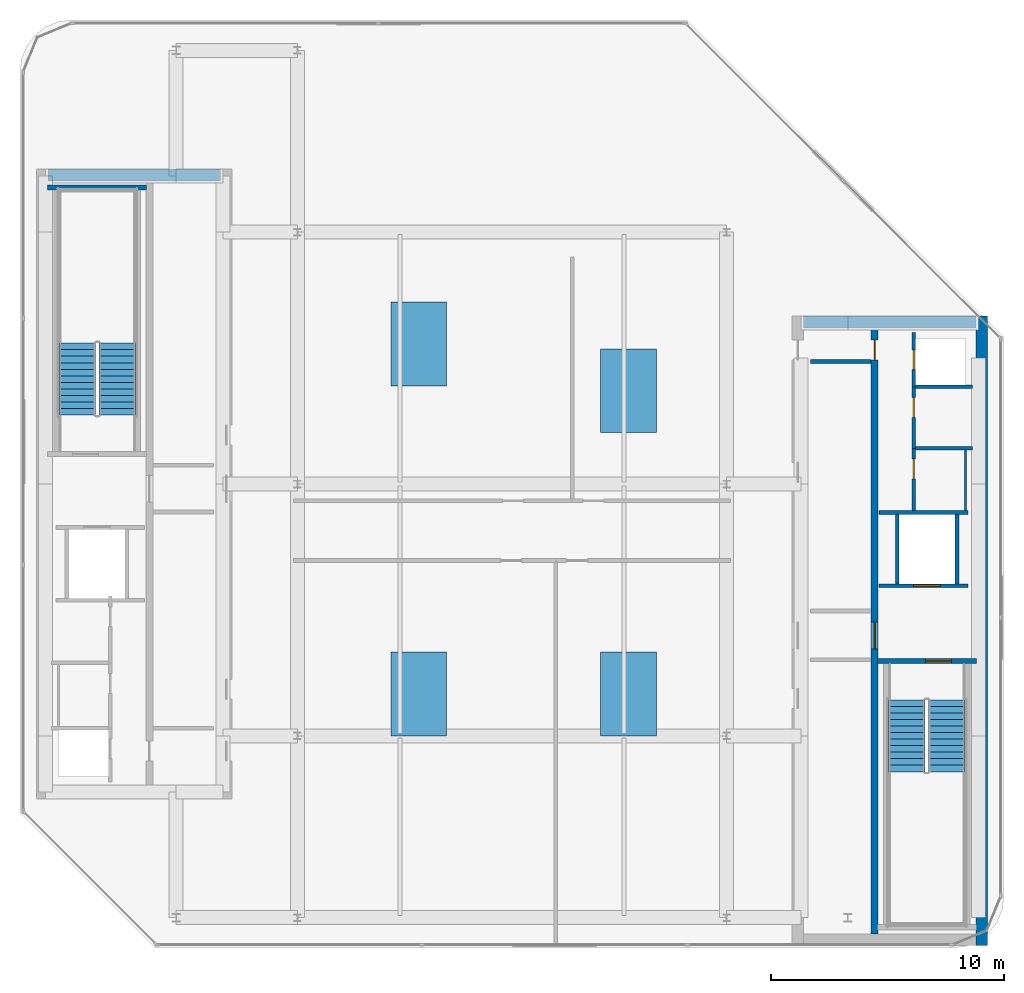
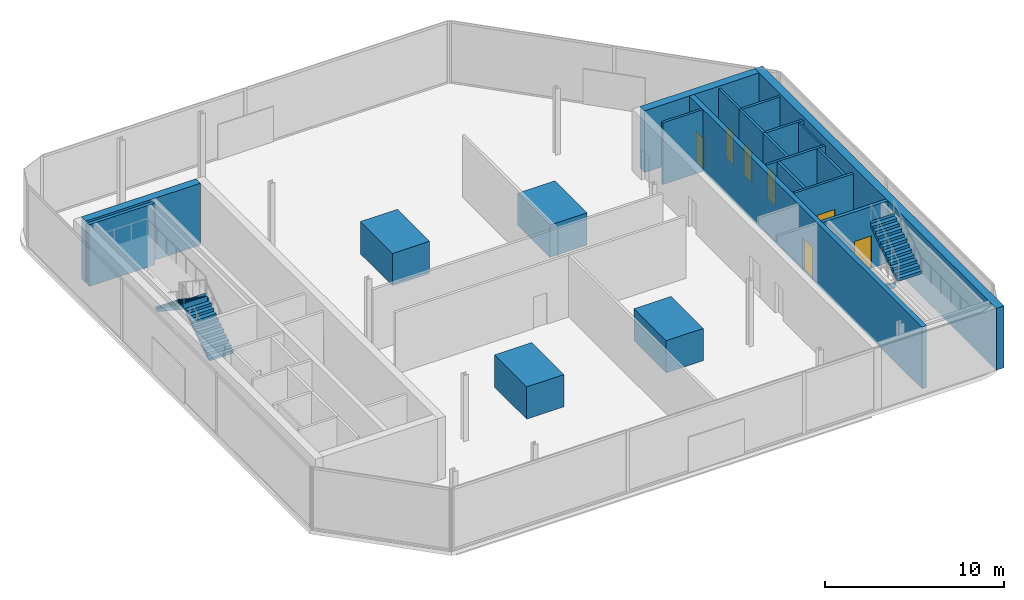
# One storey, part 6 of 15: 17 walls, 7 doors, 4 discrete accessories, 4 stair flights, 7 openings, 2 elements without a shape of their own.
"""IFC4 building model written with IfcOpenShell, lengths in metres."""

import ifcopenshell
import ifcopenshell.guid

model = None  # the IFC model being written
_history = None  # IfcOwnerHistory: only IFC2X3 demands one
_inside = {}  # id of a spatial element -> (the spatial element, [elements in it])
_under = {}  # id of a project, library or spatial element -> (it, [spatial elements below it])
_declared = {}  # id of a project -> (the project, [libraries it declares])
_typed = {}  # id of a type object -> (the type object, [elements of that type])
_made_of = {}  # id of a material, layer set ... -> (it, [elements and type objects made of it])


def new_model(schema):
    """Start an empty IFC model of exactly this schema.

    Asked for "IFC4X3", IfcOpenShell would pick the latest addendum, in which some entities
    have other attributes; the version numbers below select the first issue.
    IFC2X3 requires an IfcOwnerHistory on every rooted entity: one is made here for all.
    """
    global model, _history
    if schema == "IFC4X3":
        model = ifcopenshell.file(schema_version=(4, 3, 0, 0))
    else:
        model = ifcopenshell.file(schema=schema)
    _inside.clear()
    _under.clear()
    _declared.clear()
    _typed.clear()
    _made_of.clear()
    _history = None
    if model.schema == "IFC2X3":
        org = make("IfcOrganization", Name="unknown")
        user = make(
            "IfcPersonAndOrganization",
            ThePerson=make("IfcPerson", FamilyName="unknown"),
            TheOrganization=org,
        )
        app = make(
            "IfcApplication",
            ApplicationDeveloper=org,
            Version="unknown",
            ApplicationFullName="unknown",
            ApplicationIdentifier="unknown",
        )
        _history = make(
            "IfcOwnerHistory",
            OwningUser=user,
            OwningApplication=app,
            ChangeAction="ADDED",
            CreationDate=0,
        )
    return model


def make(cls, **values):
    """One entity of the class cls with the attributes given. An attribute that is None is left unset."""
    return model.create_entity(
        cls, **{name: value for name, value in values.items() if value is not None}
    )


def rooted(cls, **values):
    """An entity with a GlobalId (a new one), such as an element, a storey or a relation."""
    return make(cls, GlobalId=ifcopenshell.guid.new(), OwnerHistory=_history, **values)


def si_unit(unit_type, name, prefix=None):
    """IfcSIUnit, for example si_unit("LENGTHUNIT", "METRE", prefix="MILLI")."""
    return make("IfcSIUnit", UnitType=unit_type, Prefix=prefix, Name=name)


def assignment(units):
    """IfcUnitAssignment: the units of a project."""
    return None if units is None else make("IfcUnitAssignment", Units=units)


def point(xyz):
    """IfcCartesianPoint."""
    return None if xyz is None else make("IfcCartesianPoint", Coordinates=xyz)


def direction(xyz):
    """IfcDirection."""
    return None if xyz is None else make("IfcDirection", DirectionRatios=xyz)


def frame(location, z_axis=None, x_axis=None):
    """IfcAxis2Placement3D, a coordinate frame: its origin and axes. An axis left out is left unset."""
    return make(
        "IfcAxis2Placement3D",
        Location=point(location),
        Axis=direction(z_axis),
        RefDirection=direction(x_axis),
    )


def frame_2d(location, x_axis=None):
    """IfcAxis2Placement2D, a coordinate frame in the plane: its origin and x axis."""
    return make(
        "IfcAxis2Placement2D", Location=point(location), RefDirection=direction(x_axis)
    )


def origin():
    """The frame at (0, 0, 0) with its axes left unset."""
    return frame((0.0, 0.0, 0.0))


def origin_2d():
    """The frame at (0, 0) in the plane with its x axis left unset."""
    return frame_2d((0.0, 0.0))


def place(relative_to, where):
    """IfcLocalPlacement: puts the frame where relative to a parent placement (None: the world)."""
    return make(
        "IfcLocalPlacement", PlacementRelTo=relative_to, RelativePlacement=where
    )


def context(
    kind, dimensions, precision=None, world=None, true_north=None, identifier=None
):
    """IfcGeometricRepresentationContext, for example the 3D "Model" context."""
    return make(
        "IfcGeometricRepresentationContext",
        ContextIdentifier=identifier,
        ContextType=kind,
        CoordinateSpaceDimension=dimensions,
        Precision=precision,
        WorldCoordinateSystem=world,
        TrueNorth=true_north,
    )


def subcontext(parent, identifier, kind, view, scale=None):
    """IfcGeometricRepresentationSubContext, for example "Body" below "Model"."""
    return make(
        "IfcGeometricRepresentationSubContext",
        ContextIdentifier=identifier,
        ContextType=kind,
        ParentContext=parent,
        TargetScale=scale,
        TargetView=view,
    )


def project(units=None, contexts=None):
    """IfcProject with its units and contexts."""
    return rooted(
        "IfcProject",
        Name="project",
        RepresentationContexts=contexts,
        UnitsInContext=assignment(units),
    )


def spatial(cls, under=None, at=None, **own):
    """A site, building, storey or space (cls), placed at a placement, below another one or the project."""
    s = rooted(cls, ObjectPlacement=at, **own)
    if under is not None:
        _under.setdefault(under.id(), (under, []))[1].append(s)
    return s


def polyline(points):
    """IfcPolyline through the points."""
    return make("IfcPolyline", Points=[point(p) for p in points])


def profile(cls, at=None, kind="AREA", **sizes):
    """A parametric profile (cls). Its sizes go by their IFC names, for example OverallWidth=200.0."""
    return make(cls, ProfileType=kind, Position=at, **sizes)


def rectangle(**sizes):
    """IfcRectangleProfileDef."""
    return profile("IfcRectangleProfileDef", **sizes)


def outline(outer, holes=None, kind="AREA"):
    """IfcArbitraryClosedProfileDef: a profile drawn as a closed curve; with holes, ...WithVoids."""
    if holes is None:
        return make("IfcArbitraryClosedProfileDef", ProfileType=kind, OuterCurve=outer)
    return make(
        "IfcArbitraryProfileDefWithVoids",
        ProfileType=kind,
        OuterCurve=outer,
        InnerCurves=holes,
    )


def extrude(swept, where, along, depth):
    """IfcExtrudedAreaSolid: the profile swept, set in the frame where, extruded along a direction by depth."""
    return make(
        "IfcExtrudedAreaSolid",
        SweptArea=swept,
        Position=where,
        ExtrudedDirection=direction(along),
        Depth=depth,
    )


def shape(context_of_items, identifier, shape_type, items):
    """IfcShapeRepresentation: the items that make up one representation, for example the "Body"."""
    return make(
        "IfcShapeRepresentation",
        ContextOfItems=context_of_items,
        RepresentationIdentifier=identifier,
        RepresentationType=shape_type,
        Items=items,
    )


def material(Name=None, Category=None):
    """IfcMaterial."""
    return make("IfcMaterial", Name=Name, Category=Category)


def layer(
    of_material, thickness, ventilated=None, Name=None, Category=None, Priority=None
):
    """IfcMaterialLayer: one layer of a wall or slab, of a material (None: an air gap)."""
    return make(
        "IfcMaterialLayer",
        Material=of_material,
        LayerThickness=thickness,
        IsVentilated=ventilated,
        Name=Name,
        Category=Category,
        Priority=Priority,
    )


def layer_set(layers, Name=None):
    """IfcMaterialLayerSet."""
    return make("IfcMaterialLayerSet", MaterialLayers=layers, LayerSetName=Name)


def made_of(thing, what):
    """Note that an element or type object is made of a material, layer set ...; save() writes the relation."""
    if what is not None:
        _made_of.setdefault(what.id(), (what, []))[1].append(thing)
    return thing


def type_object(cls, material=None, **own):
    """A type object (cls), such as IfcWallType, which elements share."""
    return made_of(rooted(cls, **own), material)


def element(
    cls,
    number,
    at=None,
    inside=None,
    cuts=None,
    type_object=None,
    material=None,
    context=None,
    identifier="Body",
    shape_type=None,
    held_by="IfcProductDefinitionShape",
    body=None,
    shapes=None,
    **own,
):
    """One element of the class cls, such as IfcWall. Its Tag is "e" and its number.

    at: its placement. inside: the storey or other place that contains it. cuts: it is an
    opening in that element (IfcRelVoidsElement). A single representation is given by context,
    identifier, shape_type and body (its items); several are given by shapes. held_by: the class
    of the entity that holds the representations. save() writes the other relations.
    """
    e = rooted(cls, Tag="e%d" % number, ObjectPlacement=at, **own)
    if body is not None:
        shapes = [shape(context, identifier, shape_type, body)]
    if shapes is not None:
        e.Representation = make(held_by, Representations=shapes)
    if inside is not None:
        _inside.setdefault(inside.id(), (inside, []))[1].append(e)
    if cuts is not None:
        rooted(
            "IfcRelVoidsElement", RelatingBuildingElement=cuts, RelatedOpeningElement=e
        )
    if type_object is not None:
        _typed.setdefault(type_object.id(), (type_object, []))[1].append(e)
    return made_of(e, material)


def fill(opening, filler):
    """IfcRelFillsElement: the door or window that sits in an opening."""
    return rooted(
        "IfcRelFillsElement",
        RelatingOpeningElement=opening,
        RelatedBuildingElement=filler,
    )


def aggregate(whole, parts):
    """IfcRelAggregates: a whole, such as a stair, and the parts it consists of."""
    return rooted("IfcRelAggregates", RelatingObject=whole, RelatedObjects=parts)


def save(model, path):
    """Write the relations noted so far, then the file.

    IfcRelAggregates (storeys below a building ...), IfcRelContainedInSpatialStructure (elements
    in a storey), IfcRelDefinesByType, IfcRelAssociatesMaterial and IfcRelDeclares: one each for
    every whole, place, type object, material and project.
    """
    for whole, parts in _under.values():
        aggregate(whole, parts)
    for where, things in _inside.values():
        rooted(
            "IfcRelContainedInSpatialStructure",
            RelatedElements=things,
            RelatingStructure=where,
        )
    for kind, things in _typed.values():
        rooted("IfcRelDefinesByType", RelatedObjects=things, RelatingType=kind)
    for what, things in _made_of.values():
        rooted("IfcRelAssociatesMaterial", RelatedObjects=things, RelatingMaterial=what)
    for by, libraries in _declared.values():
        rooted("IfcRelDeclares", RelatingContext=by, RelatedDefinitions=libraries)
    model.write(path)


model = new_model("IFC4")

# Units and contexts
model_context = context("Model", 3, precision=1e-05, world=origin(), true_north=direction((0.0, 1.0)))
body_context = subcontext(model_context, "Body", "Model", "MODEL_VIEW")
ifc_project = project(units=[si_unit("LENGTHUNIT", "METRE"), si_unit("AREAUNIT", "SQUARE_METRE"), si_unit("VOLUMEUNIT", "CUBIC_METRE"), si_unit("PLANEANGLEUNIT", "RADIAN"), si_unit("MASSUNIT", "GRAM", prefix="KILO")], contexts=[model_context])

# Site, building, storey
site_placement = place(None, origin())
site = spatial("IfcSite", under=ifc_project, at=site_placement, CompositionType="ELEMENT")
building_placement = place(site_placement, origin())
building = spatial("IfcBuilding", under=site, at=building_placement, Name="Khairoan Windgate Tower", CompositionType="ELEMENT")
storey_placement = place(building_placement, frame((0.0, 0.0, 335.0)))
storey = spatial("IfcBuildingStorey", under=building, at=storey_placement, Name="L80", CompositionType="ELEMENT", Elevation=335.0)

# Wall
ifc_material_1 = material(Name="Moisture-Resistant Gypsum Partition", Category="gypsum")
ifc_layer_1 = layer(ifc_material_1, 0.10009765625, Name="Moisture-Resistant Gypsum Partition")
ifc_layer_set_1 = layer_set([ifc_layer_1], Name="Moisture-Resistant Gypsum Partition")
wall_type_1 = type_object("IfcWallType", Name="Bathroom Wet-Area Partition Wall", PredefinedType="PARTITIONING", material=ifc_layer_set_1)
wall_1_placement = place(storey_placement, frame((19.449951171875, 1.449951171875, 0.0), z_axis=(0.0, 0.0, 1.0), x_axis=(0.0, -1.0, 0.0)))
element("IfcWall", 1, at=wall_1_placement, inside=storey, type_object=wall_type_1, Name="L80 Wet Room Side Wall 018", PredefinedType="PARTITIONING", context=body_context, shape_type="SweptSolid", body=[
    extrude(rectangle(XDim=2.58984375, YDim=0.10009765625, at=frame_2d((1.294921875, 0.0))), origin(), (0.0, 0.0, 1.0), 4.219970703125),
])

# Wall, opening, door
ifc_material_2 = material(Name="Concrete C40/50", Category="concrete")
ifc_layer_2 = layer(ifc_material_2, 0.159912109375, Name="Concrete C40/50")
ifc_layer_set_2 = layer_set([ifc_layer_2], Name="Concrete C40/50")
wall_type_2 = type_object("IfcWallType", Name="Core and Hoistway Enclosure Wall", PredefinedType="STANDARD", material=ifc_layer_set_2)
wall_2_placement = place(storey_placement, frame((15.75, -4.360107421875, 0.0), z_axis=(0.0, 0.0, 1.0), x_axis=(1.0, 0.0, 0.0)))
wall_2 = element("IfcWall", 2, at=wall_2_placement, inside=storey, type_object=wall_type_2, Name="L80 Core Shaft Wall SW-FL1-L80", PredefinedType="STANDARD", context=body_context, shape_type="SweptSolid", body=[
    extrude(rectangle(XDim=3.800048828125, YDim=0.159912109375, at=frame_2d((1.89990234375, 0.0))), origin(), (0.0, 0.0, 1.0), 4.219970703125),
])
opening_1_placement = place(wall_2_placement, frame((1.469970703125, 0.0, 0.0)))
opening_1 = element("IfcOpeningElement", 3, at=opening_1_placement, cuts=wall_2, Name="Opening LD-FL", PredefinedType="OPENING", context=body_context, shape_type="SweptSolid", body=[
    extrude(rectangle(XDim=1.14990234375, YDim=2.199951171875, at=frame_2d((0.574951171875, 1.10009765625))), frame((0.0, 0.08984375, 0.0), z_axis=(0.0, -1.0, 0.0), x_axis=(1.0, 0.0, 0.0)), (0.0, 0.0, 1.0), 0.179931640625),
])
ifc_material_3 = material(Name="Steel S355", Category="steel")
door_type_1 = type_object("IfcDoorType", Name="Firefighting Lift Sliding Landing Door LD-FL 1150x2200", OperationType="DOUBLE_DOOR_SLIDING", PredefinedType="DOOR", material=ifc_material_3)
door_1_placement = place(opening_1_placement, origin())
door_1 = element("IfcDoor", 4, at=door_1_placement, inside=storey, type_object=door_type_1, Name="L80 Firefighting Lift FL1 Landing Door", OperationType="DOUBLE_DOOR_SLIDING", OverallHeight=2.199951171875, OverallWidth=1.14990234375, PredefinedType="DOOR", context=body_context, shape_type="SweptSolid", body=[
    extrude(rectangle(XDim=1.14990234375, YDim=2.199951171875, at=frame_2d((0.574951171875, 1.10009765625))), frame((0.0, 0.02490234375, 0.0), z_axis=(0.0, -1.0, 0.0), x_axis=(1.0, 0.0, 0.0)), (0.0, 0.0, 1.0), 0.050048828125),
])
fill(opening_1, door_1)

# Walls
wall_3_placement = place(storey_placement, frame((15.75, -1.219970703125, 0.0), z_axis=(0.0, 0.0, 1.0), x_axis=(1.0, 0.0, 0.0)))
element("IfcWall", 5, at=wall_3_placement, inside=storey, type_object=wall_type_2, Name="L80 Core Shaft Wall SW-FL1T-L80", PredefinedType="STANDARD", context=body_context, shape_type="SweptSolid", body=[
    extrude(rectangle(XDim=3.800048828125, YDim=0.159912109375, at=frame_2d((1.89990234375, 0.0))), origin(), (0.0, 0.0, 1.0), 4.219970703125),
])
for number, where, z_axis, x_axis, name in (
    (6, (16.52001953125, -4.280029296875, 0.0), (0.0, 0.0, 1.0), (0.0, 1.0, 0.0), "L80 Core Shaft Wall SW-FL1W-L80"),
    (7, (19.080078125, -4.280029296875, 0.0), (0.0, 0.0, 1.0), (0.0, 1.0, 0.0), "L80 Core Shaft Wall SW-FL1E-L80"),
):
    element("IfcWall", number, at=place(storey_placement, frame(where, z_axis=z_axis, x_axis=x_axis)), inside=storey, type_object=wall_type_2, Name=name, PredefinedType="STANDARD", context=body_context, shape_type="SweptSolid", body=[
        extrude(rectangle(XDim=2.97998046875, YDim=0.159912109375, at=frame_2d((1.489990234375, 0.0))), origin(), (0.0, 0.0, 1.0), 4.219970703125),
    ])
wall_4_placement = place(storey_placement, frame((12.800048828125, 5.25, 0.0), z_axis=(0.0, 0.0, 1.0), x_axis=(1.0, 0.0, 0.0)))
element("IfcWall", 8, at=wall_4_placement, inside=storey, type_object=wall_type_2, Name="L80 Core Shaft Wall SW-ESV-L80", PredefinedType="STANDARD", context=body_context, shape_type="SweptSolid", body=[
    extrude(rectangle(XDim=2.599853515625, YDim=0.159912109375, at=frame_2d((1.2998046875, 0.0))), origin(), (0.0, 0.0, 1.0), 4.219970703125),
])

# Wall, opening, door
ifc_material_4 = material(Name="Concrete C40/50", Category="concrete")
ifc_layer_3 = layer(ifc_material_4, 0.159912109375, Name="Concrete C40/50")
ifc_layer_set_3 = layer_set([ifc_layer_3], Name="Concrete C40/50")
wall_type_3 = type_object("IfcWallType", Name="Plant and Refuge Compartment Wall", PredefinedType="PARTITIONING", material=ifc_layer_set_3)
wall_5_placement = place(storey_placement, frame((17.22998046875, 4.169921875, 0.0), z_axis=(0.0, 0.0, 1.0), x_axis=(0.0, 1.0, 0.0)))
wall_5 = element("IfcWall", 9, at=wall_5_placement, inside=storey, type_object=wall_type_3, Name="L80 Interior Partition 006", PredefinedType="PARTITIONING", context=body_context, shape_type="SweptSolid", body=[
    extrude(rectangle(XDim=2.320068359375, YDim=0.159912109375, at=frame_2d((1.16015625, 0.0))), origin(), (0.0, 0.0, 1.0), 4.219970703125),
])
opening_2_placement = place(wall_5_placement, frame((0.735107421875, 0.0, 0.0)))
opening_2 = element("IfcOpeningElement", 10, at=opening_2_placement, cuts=wall_5, Name="Opening FD-SRV", PredefinedType="OPENING", context=body_context, shape_type="SweptSolid", body=[
    extrude(rectangle(XDim=0.85009765625, YDim=2.10009765625, at=frame_2d((0.425048828125, 1.050048828125))), frame((0.0, 0.08984375, 0.0), z_axis=(0.0, -1.0, 0.0), x_axis=(1.0, 0.0, 0.0)), (0.0, 0.0, 1.0), 0.179931640625),
])
ifc_material_5 = material(Name="Steel S355", Category="steel")
door_type_2 = type_object("IfcDoorType", Name="Core Service and Riser Fire Door FD-SRV 850x2100", OperationType="NOTDEFINED", PredefinedType="DOOR", material=ifc_material_5)
door_2_placement = place(opening_2_placement, origin())
door_2 = element("IfcDoor", 11, at=door_2_placement, inside=storey, type_object=door_type_2, Name="L80 L80-15-L80-16 Door", OperationType="SINGLE_SWING_RIGHT", OverallHeight=2.10009765625, OverallWidth=0.85009765625, PredefinedType="DOOR", context=body_context, shape_type="SweptSolid", body=[
    extrude(rectangle(XDim=0.85009765625, YDim=2.10009765625, at=frame_2d((0.425048828125, 1.050048828125))), frame((0.0, 0.02490234375, 0.0), z_axis=(0.0, -1.0, 0.0), x_axis=(1.0, 0.0, 0.0)), (0.0, 0.0, 1.0), 0.050048828125),
])
fill(opening_2, door_2)

wall_6_placement = place(storey_placement, frame((17.22998046875, -1.139892578125, 0.0), z_axis=(0.0, 0.0, 1.0), x_axis=(0.0, 1.0, 0.0)))
wall_6 = element("IfcWall", 12, at=wall_6_placement, inside=storey, type_object=wall_type_3, Name="L80 Interior Partition 007", PredefinedType="PARTITIONING", context=body_context, shape_type="SweptSolid", body=[
    extrude(rectangle(XDim=2.669921875, YDim=0.159912109375, at=frame_2d((1.3349609375, 0.0))), origin(), (0.0, 0.0, 1.0), 4.219970703125),
])
opening_3_placement = place(wall_6_placement, frame((1.360107421875, 0.0, 0.0)))
opening_3 = element("IfcOpeningElement", 13, at=opening_3_placement, cuts=wall_6, Name="Opening FD-SRV", PredefinedType="OPENING", context=body_context, shape_type="SweptSolid", body=[
    extrude(rectangle(XDim=0.85009765625, YDim=2.10009765625, at=frame_2d((0.425048828125, 1.050048828125))), frame((0.0, 0.08984375, 0.0), z_axis=(0.0, -1.0, 0.0), x_axis=(1.0, 0.0, 0.0)), (0.0, 0.0, 1.0), 0.179931640625),
])
door_3_placement = place(opening_3_placement, origin())
door_3 = element("IfcDoor", 14, at=door_3_placement, inside=storey, type_object=door_type_2, Name="L80 L80-15-L80-17 Door", OperationType="SINGLE_SWING_LEFT", OverallHeight=2.10009765625, OverallWidth=0.85009765625, PredefinedType="DOOR", context=body_context, shape_type="SweptSolid", body=[
    extrude(rectangle(XDim=0.85009765625, YDim=2.10009765625, at=frame_2d((0.425048828125, 1.050048828125))), frame((0.0, 0.02490234375, 0.0), z_axis=(0.0, -1.0, 0.0), x_axis=(1.0, 0.0, 0.0)), (0.0, 0.0, 1.0), 0.050048828125),
])
fill(opening_3, door_3)

wall_7_placement = place(storey_placement, frame((17.22998046875, 1.530029296875, 0.0), z_axis=(0.0, 0.0, 1.0), x_axis=(0.0, 1.0, 0.0)))
wall_7 = element("IfcWall", 15, at=wall_7_placement, inside=storey, type_object=wall_type_3, Name="L80 Interior Partition 008", PredefinedType="PARTITIONING", context=body_context, shape_type="SweptSolid", body=[
    extrude(rectangle(XDim=2.639892578125, YDim=0.159912109375, at=frame_2d((1.31982421875, 0.0))), origin(), (0.0, 0.0, 1.0), 4.219970703125),
])
opening_4_placement = place(wall_7_placement, frame((1.330078125, 0.0, 0.0)))
opening_4 = element("IfcOpeningElement", 16, at=opening_4_placement, cuts=wall_7, Name="Opening FD-SRV", PredefinedType="OPENING", context=body_context, shape_type="SweptSolid", body=[
    extrude(rectangle(XDim=0.85009765625, YDim=2.10009765625, at=frame_2d((0.425048828125, 1.050048828125))), frame((0.0, 0.08984375, 0.0), z_axis=(0.0, -1.0, 0.0), x_axis=(1.0, 0.0, 0.0)), (0.0, 0.0, 1.0), 0.179931640625),
])
door_4_placement = place(opening_4_placement, origin())
door_4 = element("IfcDoor", 17, at=door_4_placement, inside=storey, type_object=door_type_2, Name="L80 L80-15-L80-18 Door", OperationType="SINGLE_SWING_RIGHT", OverallHeight=2.10009765625, OverallWidth=0.85009765625, PredefinedType="DOOR", context=body_context, shape_type="SweptSolid", body=[
    extrude(rectangle(XDim=0.85009765625, YDim=2.10009765625, at=frame_2d((0.425048828125, 1.050048828125))), frame((0.0, 0.02490234375, 0.0), z_axis=(0.0, -1.0, 0.0), x_axis=(1.0, 0.0, 0.0)), (0.0, 0.0, 1.0), 0.050048828125),
])
fill(opening_4, door_4)

# Walls
for number, where, z_axis, x_axis, name in (
    (18, (17.31005859375, 4.169921875, 0.0), (0.0, 0.0, 1.0), (1.0, 0.0, 0.0), "L80 Interior Partition 009"),
    (19, (17.31005859375, 1.530029296875, 0.0), (0.0, 0.0, 1.0), (1.0, 0.0, 0.0), "L80 Interior Partition 010"),
):
    element("IfcWall", number, at=place(storey_placement, frame(where, z_axis=z_axis, x_axis=x_axis)), inside=storey, type_object=wall_type_3, Name=name, PredefinedType="PARTITIONING", context=body_context, shape_type="SweptSolid", body=[
        extrude(rectangle(XDim=2.43994140625, YDim=0.159912109375, at=frame_2d((1.219970703125, 0.0))), origin(), (0.0, 0.0, 1.0), 4.219970703125),
    ])
ifc_material_6 = material(Name="Concrete C50/60", Category="concrete")
ifc_layer_4 = layer(ifc_material_6, 0.5, Name="Concrete C50/60")
ifc_layer_set_4 = layer_set([ifc_layer_4], Name="Concrete C50/60")
wall_type_4 = type_object("IfcWallType", Name="Shear Wall CW-E3 500mm", PredefinedType="SHEAR", material=ifc_layer_set_4)
wall_8_placement = place(storey_placement, frame((20.14990234375, -19.800048828125, 0.0), z_axis=(0.0, 0.0, 1.0), x_axis=(0.0, 1.0, 0.0)))
element("IfcWall", 20, at=wall_8_placement, inside=storey, type_object=wall_type_4, Name="E Core East Shear Wall L80", PredefinedType="SHEAR", context=body_context, shape_type="SweptSolid", body=[
    extrude(rectangle(XDim=27.0, YDim=0.5, at=frame_2d((13.5, 0.0))), origin(), (0.0, 0.0, 1.0), 4.219970703125),
])
wall_9_placement = place(storey_placement, frame((12.5, 6.949951171875, 0.0), z_axis=(0.0, 0.0, 1.0), x_axis=(1.0, 0.0, 0.0)))
element("IfcWall", 21, at=wall_9_placement, inside=storey, type_object=wall_type_4, Name="E Core North Shear Wall L80", PredefinedType="SHEAR", context=body_context, shape_type="SweptSolid", body=[
    extrude(rectangle(XDim=7.39990234375, YDim=0.5, at=frame_2d((3.699951171875, 0.0))), origin(), (0.0, 0.0, 1.0), 4.219970703125),
])
ifc_material_7 = material(Name="Concrete C50/60", Category="concrete")
ifc_layer_5 = layer(ifc_material_7, 0.5, Name="Concrete C50/60")
ifc_layer_set_5 = layer_set([ifc_layer_5], Name="Concrete C50/60")
wall_type_5 = type_object("IfcWallType", Name="Shear Wall CW-W3 500mm", PredefinedType="SHEAR", material=ifc_layer_set_5)
wall_10_placement = place(storey_placement, frame((-19.89990234375, 13.25, 0.0), z_axis=(0.0, 0.0, 1.0), x_axis=(1.0, 0.0, 0.0)))
element("IfcWall", 22, at=wall_10_placement, inside=storey, type_object=wall_type_5, Name="W Core North Shear Wall L80", PredefinedType="SHEAR", context=body_context, shape_type="SweptSolid", body=[
    extrude(rectangle(XDim=7.39990234375, YDim=0.5, at=frame_2d((3.699951171875, 0.0))), origin(), (0.0, 0.0, 1.0), 4.219970703125),
])

# Wall, openings, doors
ifc_material_8 = material(Name="Concrete C50/60", Category="concrete")
ifc_layer_6 = layer(ifc_material_8, 0.300048828125, Name="Concrete C50/60")
ifc_layer_set_6 = layer_set([ifc_layer_6], Name="Concrete C50/60")
wall_type_6 = type_object("IfcWallType", Name="Shear Wall SW-2 300mm", PredefinedType="SHEAR", material=ifc_layer_set_6)
wall_11_placement = place(storey_placement, frame((15.550048828125, -19.300048828125, 0.0), z_axis=(0.0, 0.0, 1.0), x_axis=(0.0, 1.0, 0.0)))
wall_11 = element("IfcWall", 23, at=wall_11_placement, inside=storey, type_object=wall_type_6, Name="E Core Spine Shear Wall L80", PredefinedType="SHEAR", context=body_context, shape_type="SweptSolid", body=[
    extrude(rectangle(XDim=26.0, YDim=0.300048828125, at=frame_2d((13.0, 0.0))), origin(), (0.0, 0.0, 1.0), 4.219970703125),
])
opening_5_placement = place(wall_11_placement, frame((12.22509765625, 0.0, 0.0)))
opening_5 = element("IfcOpeningElement", 24, at=opening_5_placement, cuts=wall_11, Name="Opening FD-FFL", PredefinedType="OPENING", context=body_context, shape_type="SweptSolid", body=[
    extrude(rectangle(XDim=1.14990234375, YDim=2.199951171875, at=frame_2d((0.574951171875, 1.10009765625))), frame((0.0, 0.159912109375, 0.0), z_axis=(0.0, -1.0, 0.0), x_axis=(1.0, 0.0, 0.0)), (0.0, 0.0, 1.0), 0.320068359375),
])
opening_6_placement = place(wall_11_placement, frame((24.625, 0.0, 0.0)))
opening_6 = element("IfcOpeningElement", 25, at=opening_6_placement, cuts=wall_11, Name="Opening FD-SRV", PredefinedType="OPENING", context=body_context, shape_type="SweptSolid", body=[
    extrude(rectangle(XDim=0.85009765625, YDim=2.10009765625, at=frame_2d((0.425048828125, 1.050048828125))), frame((0.0, 0.159912109375, 0.0), z_axis=(0.0, -1.0, 0.0), x_axis=(1.0, 0.0, 0.0)), (0.0, 0.0, 1.0), 0.320068359375),
])
door_5_placement = place(opening_6_placement, origin())
door_5 = element("IfcDoor", 26, at=door_5_placement, inside=storey, type_object=door_type_2, Name="L80 East Core Service Passage Inner Door", OperationType="SINGLE_SWING_RIGHT", OverallHeight=2.10009765625, OverallWidth=0.85009765625, PredefinedType="DOOR", context=body_context, shape_type="SweptSolid", body=[
    extrude(rectangle(XDim=0.85009765625, YDim=2.10009765625, at=frame_2d((0.425048828125, 1.050048828125))), frame((0.0, 0.02490234375, 0.0), z_axis=(0.0, -1.0, 0.0), x_axis=(1.0, 0.0, 0.0)), (0.0, 0.0, 1.0), 0.050048828125),
])
fill(opening_6, door_5)
ifc_material_9 = material(Name="Steel S355", Category="steel")
door_type_3 = type_object("IfcDoorType", Name="Firefighting Lobby Fire Door FD-FFL 1150x2200", OperationType="NOTDEFINED", PredefinedType="DOOR", material=ifc_material_9)
door_6_placement = place(opening_5_placement, origin())
door_6 = element("IfcDoor", 27, at=door_6_placement, inside=storey, type_object=door_type_3, Name="L80 East Firefighting Lobby Fire Door", OperationType="SINGLE_SWING_RIGHT", OverallHeight=2.199951171875, OverallWidth=1.14990234375, PredefinedType="DOOR", context=body_context, shape_type="SweptSolid", body=[
    extrude(rectangle(XDim=1.14990234375, YDim=2.199951171875, at=frame_2d((0.574951171875, 1.10009765625))), frame((0.0, 0.02490234375, 0.0), z_axis=(0.0, -1.0, 0.0), x_axis=(1.0, 0.0, 0.0)), (0.0, 0.0, 1.0), 0.050048828125),
])
fill(opening_5, door_6)

# Wall, opening, door
ifc_material_10 = material(Name="Concrete C50/60", Category="concrete")
ifc_layer_7 = layer(ifc_material_10, 0.219970703125, Name="Concrete C50/60")
ifc_layer_set_7 = layer_set([ifc_layer_7], Name="Concrete C50/60")
wall_type_7 = type_object("IfcWallType", Name="Shear Wall SW-ST 220mm", PredefinedType="SHEAR", material=ifc_layer_set_7)
wall_12_placement = place(storey_placement, frame((19.919921875, -7.590087890625, 0.0), z_axis=(0.0, 0.0, 1.0), x_axis=(-1.0, 0.0, 0.0)))
wall_12 = element("IfcWall", 28, at=wall_12_placement, inside=storey, type_object=wall_type_7, Name="L80 Stair ST1 North Bearing Wall", PredefinedType="SHEAR", context=body_context, shape_type="SweptSolid", body=[
    extrude(rectangle(XDim=4.239990234375, YDim=0.219970703125, at=frame_2d((2.1201171875, 0.0))), origin(), (0.0, 0.0, 1.0), 4.219970703125),
])
opening_7_placement = place(wall_12_placement, frame((1.080078125, 0.0, 0.0)))
opening_7 = element("IfcOpeningElement", 29, at=opening_7_placement, cuts=wall_12, Name="Opening FD-ST", PredefinedType="OPENING", context=body_context, shape_type="SweptSolid", body=[
    extrude(rectangle(XDim=1.10009765625, YDim=2.199951171875, at=frame_2d((0.550048828125, 1.10009765625))), frame((0.0, 0.119873046875, 0.0), z_axis=(0.0, -1.0, 0.0), x_axis=(1.0, 0.0, 0.0)), (0.0, 0.0, 1.0), 0.239990234375),
])
ifc_material_11 = material(Name="Steel S355", Category="steel")
door_type_4 = type_object("IfcDoorType", Name="Smokeproof Stair Fire Door FD-ST 1100x2200", OperationType="NOTDEFINED", PredefinedType="DOOR", material=ifc_material_11)
door_7_placement = place(opening_7_placement, origin())
door_7 = element("IfcDoor", 30, at=door_7_placement, inside=storey, type_object=door_type_4, Name="L80 Stair ST1 Fire Door", OperationType="SINGLE_SWING_LEFT", OverallHeight=2.199951171875, OverallWidth=1.10009765625, PredefinedType="DOOR", context=body_context, shape_type="SweptSolid", body=[
    extrude(rectangle(XDim=1.10009765625, YDim=2.199951171875, at=frame_2d((0.550048828125, 1.10009765625))), frame((0.0, 0.02490234375, 0.0), z_axis=(0.0, -1.0, 0.0), x_axis=(1.0, 0.0, 0.0)), (0.0, 0.0, 1.0), 0.050048828125),
])
fill(opening_7, door_7)

# Wall
wall_13_placement = place(storey_placement, frame((-19.919921875, 12.7099609375, 0.0), z_axis=(0.0, 0.0, 1.0), x_axis=(1.0, 0.0, 0.0)))
element("IfcWall", 31, at=wall_13_placement, inside=storey, type_object=wall_type_7, Name="L80 Stair ST2 North Bearing Wall", PredefinedType="SHEAR", context=body_context, shape_type="SweptSolid", body=[
    extrude(rectangle(XDim=4.239990234375, YDim=0.219970703125, at=frame_2d((2.1201171875, 0.0))), origin(), (0.0, 0.0, 1.0), 4.219970703125),
])

# Stair, stair flights
ifc_material_12 = material(Name="Concrete C40/50", Category="concrete")
stair_type = type_object("IfcStairType", Name="Tower Core Dog-Leg Stair ST-T1 1560mm", PredefinedType="HALF_TURN_STAIR", material=ifc_material_12)
stair_1_placement = place(storey_placement, origin())
stair_1 = element("IfcStair", 32, at=stair_1_placement, inside=storey, type_object=stair_type, Name="L80 Stair ST1", PredefinedType="HALF_TURN_STAIR")
ifc_material_13 = material(Name="Concrete C40/50", Category="concrete")
ifc_layer_8 = layer(ifc_material_13, 0.14990234375, Name="Concrete C40/50")
ifc_layer_set_8 = layer_set([ifc_layer_8], Name="Concrete C40/50")
stair_flight_type = type_object("IfcStairFlightType", Name="Tower Core Stair Flight STF-1560", PredefinedType="STRAIGHT", material=ifc_layer_set_8)
stair_flight_1_placement = place(storey_placement, frame((16.929931640625, -9.260009765625, 0.0), z_axis=(0.0, 0.0, 1.0), x_axis=(0.0, -1.0, 0.0)))
stair_flight_1 = element("IfcStairFlight", 33, at=stair_flight_1_placement, type_object=stair_flight_type, Name="ST1 flight 1", NumberOfRisers=12, NumberOfTreads=11, PredefinedType="STRAIGHT", RiserHeight=0.1875, TreadLength=0.28, context=body_context, shape_type="SweptSolid", body=[
    extrude(outline(polyline([(-0.00390625, 0.0), (-0.00390625, 0.1875), (0.0, 0.1875), (0.280029296875, 0.1875), (0.280029296875, 0.375), (0.56005859375, 0.375), (0.56005859375, 0.5625), (0.840087890625, 0.5625), (0.840087890625, 0.75), (1.1201171875, 0.75), (1.1201171875, 0.9375), (1.39990234375, 0.9375), (1.39990234375, 1.125), (1.679931640625, 1.125), (1.679931640625, 1.3125), (1.9599609375, 1.3125), (1.9599609375, 1.5), (2.239990234375, 1.5), (2.239990234375, 1.6875), (2.52001953125, 1.6875), (2.52001953125, 1.875), (2.800048828125, 1.875), (2.800048828125, 2.0625), (3.080078125, 2.0625), (3.080078125, 2.25), (3.083984375, 2.25), (3.083984375, 1.882080078125), (0.26953125, 0.0), (-0.00390625, 0.0)])), frame((0.0, 0.780029296875, 0.0), z_axis=(0.0, -1.0, 0.0), x_axis=(1.0, 0.0, 0.0)), (0.0, 0.0, 1.0), 1.56005859375),
])
stair_flight_2_placement = place(storey_placement, frame((18.639892578125, -12.340087890625, 2.25), z_axis=(0.0, 0.0, 1.0), x_axis=(0.0, 1.0, 0.0)))
stair_flight_2 = element("IfcStairFlight", 34, at=stair_flight_2_placement, type_object=stair_flight_type, Name="ST1 flight 2", NumberOfRisers=12, NumberOfTreads=11, PredefinedType="STRAIGHT", RiserHeight=0.1875, TreadLength=0.28, context=body_context, shape_type="SweptSolid", body=[
    extrude(outline(polyline([(-0.00390625, 0.0), (-0.00390625, 0.1875), (0.0, 0.1875), (0.280029296875, 0.1875), (0.280029296875, 0.375), (0.56005859375, 0.375), (0.56005859375, 0.5625), (0.840087890625, 0.5625), (0.840087890625, 0.75), (1.1201171875, 0.75), (1.1201171875, 0.9375), (1.39990234375, 0.9375), (1.39990234375, 1.125), (1.679931640625, 1.125), (1.679931640625, 1.3125), (1.9599609375, 1.3125), (1.9599609375, 1.5), (2.239990234375, 1.5), (2.239990234375, 1.6875), (2.52001953125, 1.6875), (2.52001953125, 1.875), (2.800048828125, 1.875), (2.800048828125, 2.0625), (3.080078125, 2.0625), (3.080078125, 2.25), (3.083984375, 2.25), (3.083984375, 1.882080078125), (0.26953125, 0.0), (-0.00390625, 0.0)])), frame((0.0, 0.780029296875, 0.0), z_axis=(0.0, -1.0, 0.0), x_axis=(1.0, 0.0, 0.0)), (0.0, 0.0, 1.0), 1.56005859375),
])
aggregate(stair_1, [stair_flight_1, stair_flight_2])

stair_2_placement = place(storey_placement, origin())
stair_2 = element("IfcStair", 35, at=stair_2_placement, inside=storey, type_object=stair_type, Name="L80 Stair ST2", PredefinedType="HALF_TURN_STAIR")
stair_flight_3_placement = place(storey_placement, frame((-16.929931640625, 2.9599609375, 0.0), z_axis=(0.0, 0.0, 1.0), x_axis=(0.0, 1.0, 0.0)))
stair_flight_3 = element("IfcStairFlight", 36, at=stair_flight_3_placement, type_object=stair_flight_type, Name="ST2 flight 1", NumberOfRisers=12, NumberOfTreads=11, PredefinedType="STRAIGHT", RiserHeight=0.1875, TreadLength=0.28, context=body_context, shape_type="SweptSolid", body=[
    extrude(outline(polyline([(-0.00390625, 0.0), (-0.00390625, 0.1875), (0.0, 0.1875), (0.280029296875, 0.1875), (0.280029296875, 0.375), (0.56005859375, 0.375), (0.56005859375, 0.5625), (0.840087890625, 0.5625), (0.840087890625, 0.75), (1.1201171875, 0.75), (1.1201171875, 0.9375), (1.39990234375, 0.9375), (1.39990234375, 1.125), (1.679931640625, 1.125), (1.679931640625, 1.3125), (1.9599609375, 1.3125), (1.9599609375, 1.5), (2.239990234375, 1.5), (2.239990234375, 1.6875), (2.52001953125, 1.6875), (2.52001953125, 1.875), (2.800048828125, 1.875), (2.800048828125, 2.0625), (3.080078125, 2.0625), (3.080078125, 2.25), (3.083984375, 2.25), (3.083984375, 1.882080078125), (0.26953125, 0.0), (-0.00390625, 0.0)])), frame((0.0, 0.780029296875, 0.0), z_axis=(0.0, -1.0, 0.0), x_axis=(1.0, 0.0, 0.0)), (0.0, 0.0, 1.0), 1.56005859375),
])
stair_flight_4_placement = place(storey_placement, frame((-18.639892578125, 6.0400390625, 2.25), z_axis=(0.0, 0.0, 1.0), x_axis=(0.0, -1.0, 0.0)))
stair_flight_4 = element("IfcStairFlight", 37, at=stair_flight_4_placement, type_object=stair_flight_type, Name="ST2 flight 2", NumberOfRisers=12, NumberOfTreads=11, PredefinedType="STRAIGHT", RiserHeight=0.1875, TreadLength=0.28, context=body_context, shape_type="SweptSolid", body=[
    extrude(outline(polyline([(-0.00390625, 0.0), (-0.00390625, 0.1875), (0.0, 0.1875), (0.280029296875, 0.1875), (0.280029296875, 0.375), (0.56005859375, 0.375), (0.56005859375, 0.5625), (0.840087890625, 0.5625), (0.840087890625, 0.75), (1.1201171875, 0.75), (1.1201171875, 0.9375), (1.39990234375, 0.9375), (1.39990234375, 1.125), (1.679931640625, 1.125), (1.679931640625, 1.3125), (1.9599609375, 1.3125), (1.9599609375, 1.5), (2.239990234375, 1.5), (2.239990234375, 1.6875), (2.52001953125, 1.6875), (2.52001953125, 1.875), (2.800048828125, 1.875), (2.800048828125, 2.0625), (3.080078125, 2.0625), (3.080078125, 2.25), (3.083984375, 2.25), (3.083984375, 1.882080078125), (0.26953125, 0.0), (-0.00390625, 0.0)])), frame((0.0, 0.780029296875, 0.0), z_axis=(0.0, -1.0, 0.0), x_axis=(1.0, 0.0, 0.0)), (0.0, 0.0, 1.0), 1.56005859375),
])
aggregate(stair_2, [stair_flight_3, stair_flight_4])

# Discrete accessories
ifc_material_14 = material(Name="Steel S355", Category="steel")
discrete_accessory_type = type_object("IfcDiscreteAccessoryType", Name="Mechanical Plant Equipment Unit and Plinth MEP-1", PredefinedType="USERDEFINED", material=ifc_material_14)
for number, where, z_axis, x_axis, name in (
    (38, (-4.0, 6.0, 0.0), (0.0, 0.0, 1.0), (1.0, 0.0, 0.0), "L80 Stair Pressurization Fan Unit"),
    (39, (-4.0, -9.0, 0.0), (0.0, 0.0, 1.0), (1.0, 0.0, 0.0), "L80 Standby Emergency Generator Skid"),
    (40, (5.0, -9.0, 0.0), (0.0, 0.0, 1.0), (1.0, 0.0, 0.0), "L80 Domestic Gravity Header Tank"),
    (41, (5.0, 4.0, 0.0), (0.0, 0.0, 1.0), (1.0, 0.0, 0.0), "L80 Telescopic Facade BMU Cradle Winch"),
):
    element("IfcDiscreteAccessory", number, at=place(storey_placement, frame(where, z_axis=z_axis, x_axis=x_axis)), inside=storey, type_object=discrete_accessory_type, Name=name, ObjectType="PLANT EQUIPMENT", PredefinedType="USERDEFINED", context=body_context, shape_type="SweptSolid", body=[
        extrude(rectangle(XDim=2.39990234375, YDim=3.60009765625, at=origin_2d()), origin(), (0.0, 0.0, 1.0), 2.199951171875),
    ])

save(model, "model.ifc")
